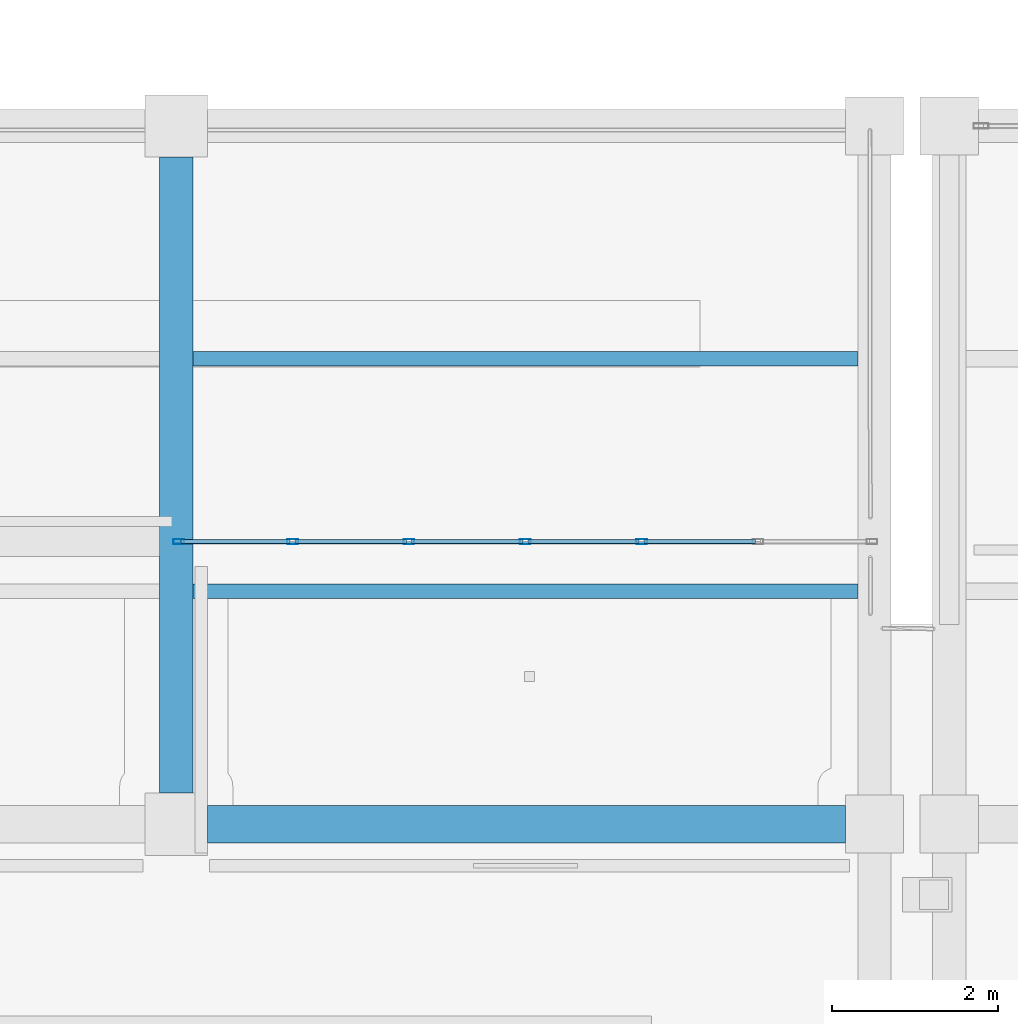
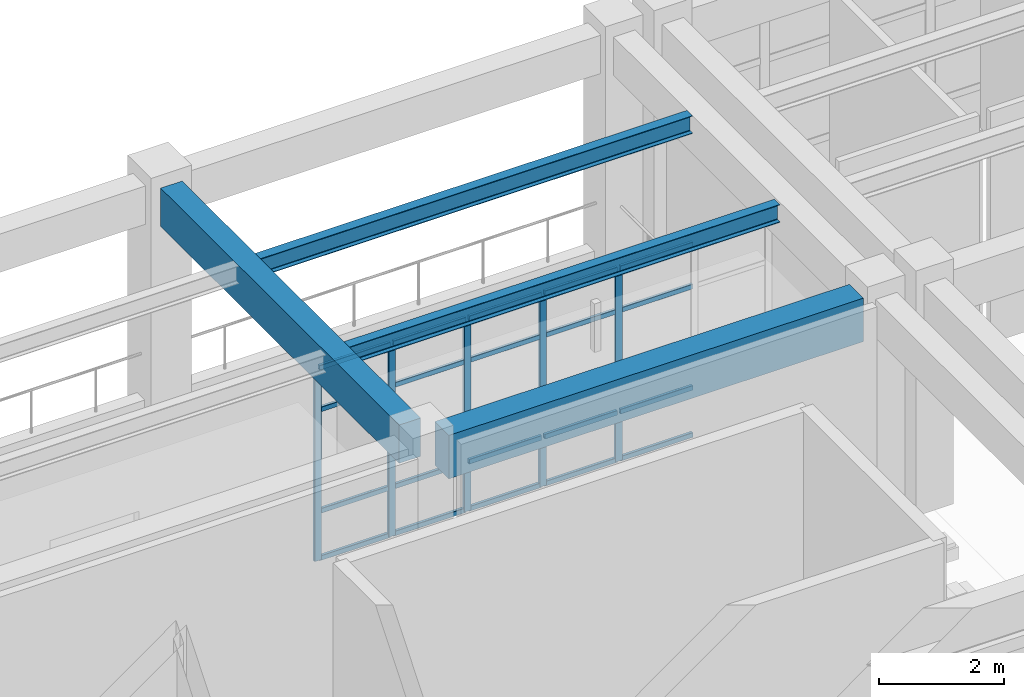
# One storey, part 10 of 111: 25 members, 4 beams, 1 element without a shape of its own.
"""IFC4 building model written with IfcOpenShell, lengths in metres."""

from ifc_helpers import new_model, si_unit, direction, frame, origin, origin_2d, place, context, subcontext, project, spatial, rectangle, hollow_rectangle, i_section, extrude, material, material_profile, profile_set, type_object, element, aggregate, save


model = new_model("IFC4")

# Units and contexts
model_context = context("Model", 3, precision=1e-05, world=origin(), true_north=direction((0.0, 1.0)))
body_context = subcontext(model_context, "Body", "Model", "MODEL_VIEW")
ifc_project = project(units=[si_unit("LENGTHUNIT", "METRE"), si_unit("AREAUNIT", "SQUARE_METRE"), si_unit("VOLUMEUNIT", "CUBIC_METRE"), si_unit("PLANEANGLEUNIT", "RADIAN"), si_unit("MASSUNIT", "GRAM", prefix="KILO")], contexts=[model_context])

# Site, building, storey
site_placement = place(None, origin())
site = spatial("IfcSite", under=ifc_project, at=site_placement, CompositionType="ELEMENT")
building_placement = place(site_placement, origin())
building = spatial("IfcBuilding", under=site, at=building_placement, Name="Canglan Escarpment Cableway Terminal", CompositionType="ELEMENT")
storey_placement = place(building_placement, frame((0.0, 0.0, 4.800048828125)))
storey = spatial("IfcBuildingStorey", under=building, at=storey_placement, Name="L01", CompositionType="ELEMENT", Elevation=4.800048828125)

# Beams
ifc_material_1 = material(Name="Concrete C40", Category="concrete")
ifc_material_profile_1 = material_profile(ifc_material_1, rectangle(XDim=0.39990234375, YDim=0.75, at=origin_2d()), Name="RC 400x750")
ifc_profile_set_1 = profile_set([ifc_material_profile_1], Name="Concrete C40")
beam_type_1 = type_object("IfcBeamType", Name="BM-RC400x750", PredefinedType="BEAM", material=ifc_profile_set_1)
beam_1_placement = place(storey_placement, frame((33.199951171875, 16.77490234375, 4.175048828125), z_axis=(0.0, 1.0, 0.0), x_axis=(-1.0, 0.0, 0.0)))
element("IfcBeam", 1, at=beam_1_placement, inside=storey, type_object=beam_type_1, Name="Primary transverse girder B-03", PredefinedType="BEAM", context=body_context, shape_type="SweptSolid", body=[
    extrude(rectangle(XDim=0.39990234375, YDim=0.75, at=origin_2d()), origin(), (0.0, 0.0, 1.0), 7.650146484375),
])
ifc_material_profile_2 = material_profile(ifc_material_1, rectangle(XDim=0.449951171875, YDim=0.85009765625, at=origin_2d()), Name="RC 450x850")
ifc_profile_set_2 = profile_set([ifc_material_profile_2], Name="Concrete C40")
beam_type_2 = type_object("IfcBeamType", Name="BM-RC450x850", PredefinedType="BEAM", material=ifc_profile_set_2)
beam_2_placement = place(storey_placement, frame((33.574951171875, 16.39990234375, 4.0849609375), z_axis=(1.0, 0.0, 0.0), x_axis=(0.0, 1.0, 0.0)))
element("IfcBeam", 2, at=beam_2_placement, inside=storey, type_object=beam_type_2, Name="Primary structural girder B-02", PredefinedType="BEAM", context=body_context, shape_type="SweptSolid", body=[
    extrude(rectangle(XDim=0.449951171875, YDim=0.85009765625, at=origin_2d()), origin(), (0.0, 0.0, 1.0), 7.675048828125),
])

# Curtain wall, members
ifc_material_2 = material(Name="Anodized bronze aluminium and Low-E double glazing", Category="aluminium")
curtain_wall_type = type_object("IfcCurtainWallType", Name="CW-BAY-8400x3775", PredefinedType="NOTDEFINED", material=ifc_material_2)
curtain_wall_placement = place(storey_placement, origin())
curtain_wall = element("IfcCurtainWall", 3, at=curtain_wall_placement, inside=storey, type_object=curtain_wall_type, Name="Classical bay-between-piers glazed curtain wall CW-02", PredefinedType="NOTDEFINED")
ifc_material_3 = material(Name="Thermally broken anodized aluminium 6063-T6", Category="aluminium")
ifc_material_profile_3 = material_profile(ifc_material_3, hollow_rectangle(XDim=0.06005859375, YDim=0.1298828125, WallThickness=0.0029296875, InnerFilletRadius=0.0029296875, OuterFilletRadius=0.006103515625, at=origin_2d()), Name="ALU-MULL 60x130x3")
ifc_profile_set_3 = profile_set([ifc_material_profile_3], Name="Thermally broken anodized aluminium 6063-T6")
member_type_1 = type_object("IfcMemberType", Name="CWM-01", PredefinedType="MULLION", material=ifc_profile_set_3)
member_1_placement = place(storey_placement, frame((38.800048828125, 19.800048828125, 0.0), z_axis=(0.0, 0.0, 1.0), x_axis=(0.0, -1.0, 0.0)))
member_1 = element("IfcMember", 4, at=member_1_placement, type_object=member_type_1, Name="CW-02 mullion 3", PredefinedType="MULLION", context=body_context, shape_type="SweptSolid", body=[
    extrude(hollow_rectangle(XDim=0.06005859375, YDim=0.1298828125, WallThickness=0.0029296875, InnerFilletRadius=0.0029296875, OuterFilletRadius=0.006103515625, at=origin_2d()), origin(), (0.0, 0.0, 1.0), 3.784912109375),
])
member_2_placement = place(storey_placement, frame((37.39990234375, 19.800048828125, 0.0), z_axis=(0.0, 0.0, 1.0), x_axis=(0.0, -1.0, 0.0)))
member_2 = element("IfcMember", 5, at=member_2_placement, type_object=member_type_1, Name="CW-02 mullion 4", PredefinedType="MULLION", context=body_context, shape_type="SweptSolid", body=[
    extrude(hollow_rectangle(XDim=0.06005859375, YDim=0.1298828125, WallThickness=0.0029296875, InnerFilletRadius=0.0029296875, OuterFilletRadius=0.006103515625, at=origin_2d()), origin(), (0.0, 0.0, 1.0), 3.784912109375),
])
member_3_placement = place(storey_placement, frame((36.0, 19.800048828125, 0.0), z_axis=(0.0, 0.0, 1.0), x_axis=(0.0, -1.0, 0.0)))
member_3 = element("IfcMember", 6, at=member_3_placement, type_object=member_type_1, Name="CW-02 mullion 5", PredefinedType="MULLION", context=body_context, shape_type="SweptSolid", body=[
    extrude(hollow_rectangle(XDim=0.06005859375, YDim=0.1298828125, WallThickness=0.0029296875, InnerFilletRadius=0.0029296875, OuterFilletRadius=0.006103515625, at=origin_2d()), origin(), (0.0, 0.0, 1.0), 3.784912109375),
])
member_4_placement = place(storey_placement, frame((34.60009765625, 19.800048828125, 0.0), z_axis=(0.0, 0.0, 1.0), x_axis=(0.0, -1.0, 0.0)))
member_4 = element("IfcMember", 7, at=member_4_placement, type_object=member_type_1, Name="CW-02 mullion 6", PredefinedType="MULLION", context=body_context, shape_type="SweptSolid", body=[
    extrude(hollow_rectangle(XDim=0.06005859375, YDim=0.1298828125, WallThickness=0.0029296875, InnerFilletRadius=0.0029296875, OuterFilletRadius=0.006103515625, at=origin_2d()), origin(), (0.0, 0.0, 1.0), 3.784912109375),
])
member_5_placement = place(storey_placement, frame((33.22998046875, 19.800048828125, 0.0), z_axis=(0.0, 0.0, 1.0), x_axis=(0.0, -1.0, 0.0)))
member_5 = element("IfcMember", 8, at=member_5_placement, type_object=member_type_1, Name="CW-02 mullion 7", PredefinedType="MULLION", context=body_context, shape_type="SweptSolid", body=[
    extrude(hollow_rectangle(XDim=0.06005859375, YDim=0.1298828125, WallThickness=0.0029296875, InnerFilletRadius=0.0029296875, OuterFilletRadius=0.006103515625, at=origin_2d()), origin(), (0.0, 0.0, 1.0), 3.784912109375),
])
ifc_material_profile_4 = material_profile(ifc_material_3, hollow_rectangle(XDim=0.054931640625, YDim=0.094970703125, WallThickness=0.0029296875, InnerFilletRadius=0.0029296875, OuterFilletRadius=0.006103515625, at=origin_2d()), Name="ALU-TRAN 55x95x3")
ifc_profile_set_4 = profile_set([ifc_material_profile_4], Name="Thermally broken anodized aluminium 6063-T6")
member_type_2 = type_object("IfcMemberType", Name="CWT-01", PredefinedType="USERDEFINED", material=ifc_profile_set_4)
member_6_placement = place(storey_placement, frame((40.169921875, 19.800048828125, 0.02734375), z_axis=(-1.0, 0.0, 0.0), x_axis=(0.0, -1.0, 0.0)))
member_6 = element("IfcMember", 9, at=member_6_placement, type_object=member_type_2, Name="CW-02 transom 2.1", ObjectType="TRANSOM", PredefinedType="USERDEFINED", context=body_context, shape_type="SweptSolid", body=[
    extrude(hollow_rectangle(XDim=0.054931640625, YDim=0.094970703125, WallThickness=0.0029296875, InnerFilletRadius=0.0029296875, OuterFilletRadius=0.006103515625, at=origin_2d()), origin(), (0.0, 0.0, 1.0), 1.33984375),
])
member_7_placement = place(storey_placement, frame((40.169921875, 19.800048828125, 0.949951171875), z_axis=(-1.0, 0.0, 0.0), x_axis=(0.0, -1.0, 0.0)))
member_7 = element("IfcMember", 10, at=member_7_placement, type_object=member_type_2, Name="CW-02 transom 2.2", ObjectType="TRANSOM", PredefinedType="USERDEFINED", context=body_context, shape_type="SweptSolid", body=[
    extrude(hollow_rectangle(XDim=0.054931640625, YDim=0.094970703125, WallThickness=0.0029296875, InnerFilletRadius=0.0029296875, OuterFilletRadius=0.006103515625, at=origin_2d()), origin(), (0.0, 0.0, 1.0), 1.33984375),
])
member_8_placement = place(storey_placement, frame((40.169921875, 19.800048828125, 2.93505859375), z_axis=(-1.0, 0.0, 0.0), x_axis=(0.0, -1.0, 0.0)))
member_8 = element("IfcMember", 11, at=member_8_placement, type_object=member_type_2, Name="CW-02 transom 2.3", ObjectType="TRANSOM", PredefinedType="USERDEFINED", context=body_context, shape_type="SweptSolid", body=[
    extrude(hollow_rectangle(XDim=0.054931640625, YDim=0.094970703125, WallThickness=0.0029296875, InnerFilletRadius=0.0029296875, OuterFilletRadius=0.006103515625, at=origin_2d()), origin(), (0.0, 0.0, 1.0), 1.33984375),
])
member_9_placement = place(storey_placement, frame((40.169921875, 19.800048828125, 3.757568359375), z_axis=(-1.0, 0.0, 0.0), x_axis=(0.0, -1.0, 0.0)))
member_9 = element("IfcMember", 12, at=member_9_placement, type_object=member_type_2, Name="CW-02 transom 2.4", ObjectType="TRANSOM", PredefinedType="USERDEFINED", context=body_context, shape_type="SweptSolid", body=[
    extrude(hollow_rectangle(XDim=0.054931640625, YDim=0.094970703125, WallThickness=0.0029296875, InnerFilletRadius=0.0029296875, OuterFilletRadius=0.006103515625, at=origin_2d()), origin(), (0.0, 0.0, 1.0), 1.33984375),
])
member_10_placement = place(storey_placement, frame((38.77001953125, 19.800048828125, 0.02734375), z_axis=(-1.0, 0.0, 0.0), x_axis=(0.0, -1.0, 0.0)))
member_10 = element("IfcMember", 13, at=member_10_placement, type_object=member_type_2, Name="CW-02 transom 3.1", ObjectType="TRANSOM", PredefinedType="USERDEFINED", context=body_context, shape_type="SweptSolid", body=[
    extrude(hollow_rectangle(XDim=0.054931640625, YDim=0.094970703125, WallThickness=0.0029296875, InnerFilletRadius=0.0029296875, OuterFilletRadius=0.006103515625, at=origin_2d()), origin(), (0.0, 0.0, 1.0), 1.340087890625),
])
member_11_placement = place(storey_placement, frame((38.77001953125, 19.800048828125, 0.949951171875), z_axis=(-1.0, 0.0, 0.0), x_axis=(0.0, -1.0, 0.0)))
member_11 = element("IfcMember", 14, at=member_11_placement, type_object=member_type_2, Name="CW-02 transom 3.2", ObjectType="TRANSOM", PredefinedType="USERDEFINED", context=body_context, shape_type="SweptSolid", body=[
    extrude(hollow_rectangle(XDim=0.054931640625, YDim=0.094970703125, WallThickness=0.0029296875, InnerFilletRadius=0.0029296875, OuterFilletRadius=0.006103515625, at=origin_2d()), origin(), (0.0, 0.0, 1.0), 1.340087890625),
])
member_12_placement = place(storey_placement, frame((38.77001953125, 19.800048828125, 2.93505859375), z_axis=(-1.0, 0.0, 0.0), x_axis=(0.0, -1.0, 0.0)))
member_12 = element("IfcMember", 15, at=member_12_placement, type_object=member_type_2, Name="CW-02 transom 3.3", ObjectType="TRANSOM", PredefinedType="USERDEFINED", context=body_context, shape_type="SweptSolid", body=[
    extrude(hollow_rectangle(XDim=0.054931640625, YDim=0.094970703125, WallThickness=0.0029296875, InnerFilletRadius=0.0029296875, OuterFilletRadius=0.006103515625, at=origin_2d()), origin(), (0.0, 0.0, 1.0), 1.340087890625),
])
member_13_placement = place(storey_placement, frame((38.77001953125, 19.800048828125, 3.757568359375), z_axis=(-1.0, 0.0, 0.0), x_axis=(0.0, -1.0, 0.0)))
member_13 = element("IfcMember", 16, at=member_13_placement, type_object=member_type_2, Name="CW-02 transom 3.4", ObjectType="TRANSOM", PredefinedType="USERDEFINED", context=body_context, shape_type="SweptSolid", body=[
    extrude(hollow_rectangle(XDim=0.054931640625, YDim=0.094970703125, WallThickness=0.0029296875, InnerFilletRadius=0.0029296875, OuterFilletRadius=0.006103515625, at=origin_2d()), origin(), (0.0, 0.0, 1.0), 1.340087890625),
])
member_14_placement = place(storey_placement, frame((37.3701171875, 19.800048828125, 0.02734375), z_axis=(-1.0, 0.0, 0.0), x_axis=(0.0, -1.0, 0.0)))
member_14 = element("IfcMember", 17, at=member_14_placement, type_object=member_type_2, Name="CW-02 transom 4.1", ObjectType="TRANSOM", PredefinedType="USERDEFINED", context=body_context, shape_type="SweptSolid", body=[
    extrude(hollow_rectangle(XDim=0.054931640625, YDim=0.094970703125, WallThickness=0.0029296875, InnerFilletRadius=0.0029296875, OuterFilletRadius=0.006103515625, at=origin_2d()), origin(), (0.0, 0.0, 1.0), 1.340087890625),
])
member_15_placement = place(storey_placement, frame((37.3701171875, 19.800048828125, 0.949951171875), z_axis=(-1.0, 0.0, 0.0), x_axis=(0.0, -1.0, 0.0)))
member_15 = element("IfcMember", 18, at=member_15_placement, type_object=member_type_2, Name="CW-02 transom 4.2", ObjectType="TRANSOM", PredefinedType="USERDEFINED", context=body_context, shape_type="SweptSolid", body=[
    extrude(hollow_rectangle(XDim=0.054931640625, YDim=0.094970703125, WallThickness=0.0029296875, InnerFilletRadius=0.0029296875, OuterFilletRadius=0.006103515625, at=origin_2d()), origin(), (0.0, 0.0, 1.0), 1.340087890625),
])
member_16_placement = place(storey_placement, frame((37.3701171875, 19.800048828125, 2.93505859375), z_axis=(-1.0, 0.0, 0.0), x_axis=(0.0, -1.0, 0.0)))
member_16 = element("IfcMember", 19, at=member_16_placement, type_object=member_type_2, Name="CW-02 transom 4.3", ObjectType="TRANSOM", PredefinedType="USERDEFINED", context=body_context, shape_type="SweptSolid", body=[
    extrude(hollow_rectangle(XDim=0.054931640625, YDim=0.094970703125, WallThickness=0.0029296875, InnerFilletRadius=0.0029296875, OuterFilletRadius=0.006103515625, at=origin_2d()), origin(), (0.0, 0.0, 1.0), 1.340087890625),
])
member_17_placement = place(storey_placement, frame((37.3701171875, 19.800048828125, 3.757568359375), z_axis=(-1.0, 0.0, 0.0), x_axis=(0.0, -1.0, 0.0)))
member_17 = element("IfcMember", 20, at=member_17_placement, type_object=member_type_2, Name="CW-02 transom 4.4", ObjectType="TRANSOM", PredefinedType="USERDEFINED", context=body_context, shape_type="SweptSolid", body=[
    extrude(hollow_rectangle(XDim=0.054931640625, YDim=0.094970703125, WallThickness=0.0029296875, InnerFilletRadius=0.0029296875, OuterFilletRadius=0.006103515625, at=origin_2d()), origin(), (0.0, 0.0, 1.0), 1.340087890625),
])
member_18_placement = place(storey_placement, frame((35.969970703125, 19.800048828125, 0.02734375), z_axis=(-1.0, 0.0, 0.0), x_axis=(0.0, -1.0, 0.0)))
member_18 = element("IfcMember", 21, at=member_18_placement, type_object=member_type_2, Name="CW-02 transom 5.1", ObjectType="TRANSOM", PredefinedType="USERDEFINED", context=body_context, shape_type="SweptSolid", body=[
    extrude(hollow_rectangle(XDim=0.054931640625, YDim=0.094970703125, WallThickness=0.0029296875, InnerFilletRadius=0.0029296875, OuterFilletRadius=0.006103515625, at=origin_2d()), origin(), (0.0, 0.0, 1.0), 1.340087890625),
])
member_19_placement = place(storey_placement, frame((35.969970703125, 19.800048828125, 0.949951171875), z_axis=(-1.0, 0.0, 0.0), x_axis=(0.0, -1.0, 0.0)))
member_19 = element("IfcMember", 22, at=member_19_placement, type_object=member_type_2, Name="CW-02 transom 5.2", ObjectType="TRANSOM", PredefinedType="USERDEFINED", context=body_context, shape_type="SweptSolid", body=[
    extrude(hollow_rectangle(XDim=0.054931640625, YDim=0.094970703125, WallThickness=0.0029296875, InnerFilletRadius=0.0029296875, OuterFilletRadius=0.006103515625, at=origin_2d()), origin(), (0.0, 0.0, 1.0), 1.340087890625),
])
member_20_placement = place(storey_placement, frame((35.969970703125, 19.800048828125, 2.93505859375), z_axis=(-1.0, 0.0, 0.0), x_axis=(0.0, -1.0, 0.0)))
member_20 = element("IfcMember", 23, at=member_20_placement, type_object=member_type_2, Name="CW-02 transom 5.3", ObjectType="TRANSOM", PredefinedType="USERDEFINED", context=body_context, shape_type="SweptSolid", body=[
    extrude(hollow_rectangle(XDim=0.054931640625, YDim=0.094970703125, WallThickness=0.0029296875, InnerFilletRadius=0.0029296875, OuterFilletRadius=0.006103515625, at=origin_2d()), origin(), (0.0, 0.0, 1.0), 1.340087890625),
])
member_21_placement = place(storey_placement, frame((35.969970703125, 19.800048828125, 3.757568359375), z_axis=(-1.0, 0.0, 0.0), x_axis=(0.0, -1.0, 0.0)))
member_21 = element("IfcMember", 24, at=member_21_placement, type_object=member_type_2, Name="CW-02 transom 5.4", ObjectType="TRANSOM", PredefinedType="USERDEFINED", context=body_context, shape_type="SweptSolid", body=[
    extrude(hollow_rectangle(XDim=0.054931640625, YDim=0.094970703125, WallThickness=0.0029296875, InnerFilletRadius=0.0029296875, OuterFilletRadius=0.006103515625, at=origin_2d()), origin(), (0.0, 0.0, 1.0), 1.340087890625),
])
member_22_placement = place(storey_placement, frame((34.570068359375, 19.800048828125, 0.02734375), z_axis=(-1.0, 0.0, 0.0), x_axis=(0.0, -1.0, 0.0)))
member_22 = element("IfcMember", 25, at=member_22_placement, type_object=member_type_2, Name="CW-02 transom 6.1", ObjectType="TRANSOM", PredefinedType="USERDEFINED", context=body_context, shape_type="SweptSolid", body=[
    extrude(hollow_rectangle(XDim=0.054931640625, YDim=0.094970703125, WallThickness=0.0029296875, InnerFilletRadius=0.0029296875, OuterFilletRadius=0.006103515625, at=origin_2d()), origin(), (0.0, 0.0, 1.0), 1.31005859375),
])
member_23_placement = place(storey_placement, frame((34.570068359375, 19.800048828125, 0.949951171875), z_axis=(-1.0, 0.0, 0.0), x_axis=(0.0, -1.0, 0.0)))
member_23 = element("IfcMember", 26, at=member_23_placement, type_object=member_type_2, Name="CW-02 transom 6.2", ObjectType="TRANSOM", PredefinedType="USERDEFINED", context=body_context, shape_type="SweptSolid", body=[
    extrude(hollow_rectangle(XDim=0.054931640625, YDim=0.094970703125, WallThickness=0.0029296875, InnerFilletRadius=0.0029296875, OuterFilletRadius=0.006103515625, at=origin_2d()), origin(), (0.0, 0.0, 1.0), 1.31005859375),
])
member_24_placement = place(storey_placement, frame((34.570068359375, 19.800048828125, 2.93505859375), z_axis=(-1.0, 0.0, 0.0), x_axis=(0.0, -1.0, 0.0)))
member_24 = element("IfcMember", 27, at=member_24_placement, type_object=member_type_2, Name="CW-02 transom 6.3", ObjectType="TRANSOM", PredefinedType="USERDEFINED", context=body_context, shape_type="SweptSolid", body=[
    extrude(hollow_rectangle(XDim=0.054931640625, YDim=0.094970703125, WallThickness=0.0029296875, InnerFilletRadius=0.0029296875, OuterFilletRadius=0.006103515625, at=origin_2d()), origin(), (0.0, 0.0, 1.0), 1.31005859375),
])
member_25_placement = place(storey_placement, frame((34.570068359375, 19.800048828125, 3.757568359375), z_axis=(-1.0, 0.0, 0.0), x_axis=(0.0, -1.0, 0.0)))
member_25 = element("IfcMember", 28, at=member_25_placement, type_object=member_type_2, Name="CW-02 transom 6.4", ObjectType="TRANSOM", PredefinedType="USERDEFINED", context=body_context, shape_type="SweptSolid", body=[
    extrude(hollow_rectangle(XDim=0.054931640625, YDim=0.094970703125, WallThickness=0.0029296875, InnerFilletRadius=0.0029296875, OuterFilletRadius=0.006103515625, at=origin_2d()), origin(), (0.0, 0.0, 1.0), 1.31005859375),
])
aggregate(curtain_wall, [member_1, member_2, member_3, member_4, member_5, member_6, member_7, member_8, member_9, member_10, member_11, member_12, member_13, member_14, member_15, member_16, member_17, member_18, member_19, member_20, member_21, member_22, member_23, member_24, member_25])

# Beams
ifc_material_4 = material(Name="Steel Q355B", Category="steel")
ifc_material_profile_5 = material_profile(ifc_material_4, i_section(OverallWidth=0.175048828125, OverallDepth=0.35009765625, WebThickness=0.007080078125, FlangeThickness=0.010986328125, FilletRadius=0.013916015625, at=origin_2d()), Name="HN 350x175x7x11")
ifc_profile_set_5 = profile_set([ifc_material_profile_5], Name="Steel Q355B")
beam_type_3 = type_object("IfcBeamType", Name="JS-HN350", PredefinedType="JOIST", material=ifc_profile_set_5)
for number, where, z_axis, x_axis, name in (
    (29, (33.39990234375, 19.199951171875, 4.3349609375), (1.0, 0.0, 0.0), (0.0, 1.0, 0.0), "Secondary composite deck joist J-04"),
    (30, (33.39990234375, 22.0, 4.375), (1.0, 0.0, 0.0), (0.0, 1.0, 0.0), "Secondary composite deck joist J-04"),
):
    element("IfcBeam", number, at=place(storey_placement, frame(where, z_axis=z_axis, x_axis=x_axis)), inside=storey, type_object=beam_type_3, Name=name, PredefinedType="JOIST", context=body_context, shape_type="SweptSolid", body=[
        extrude(i_section(OverallWidth=0.175048828125, OverallDepth=0.35009765625, WebThickness=0.007080078125, FlangeThickness=0.010986328125, FilletRadius=0.013916015625, at=origin_2d()), origin(), (0.0, 0.0, 1.0), 8.0),
    ])

save(model, "model.ifc")
